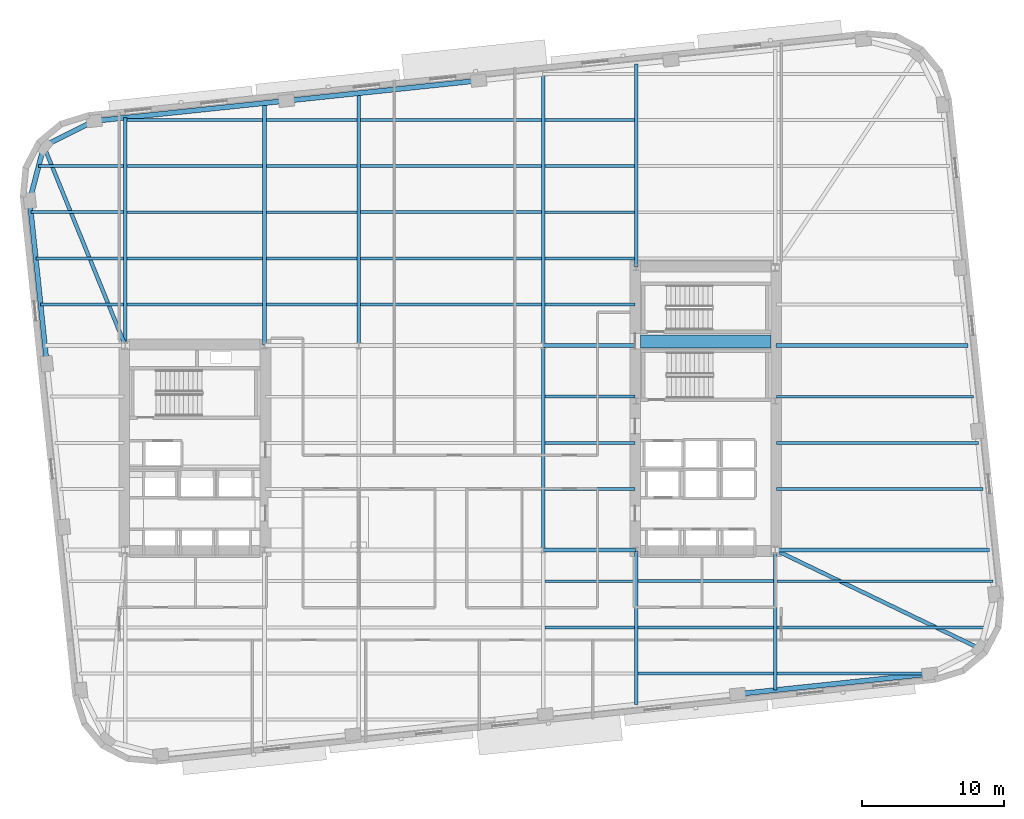
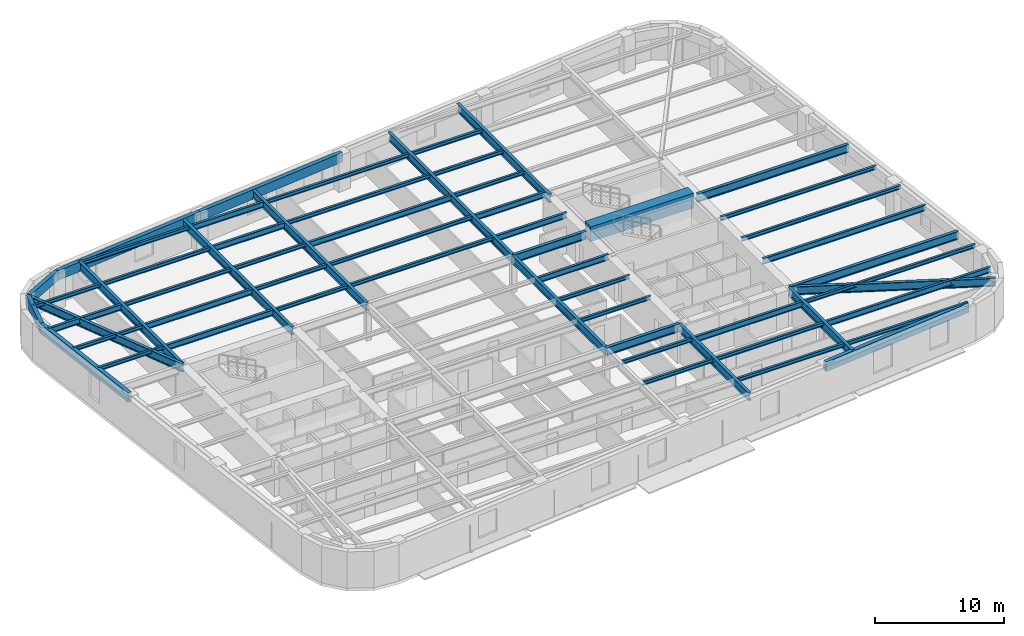
# One storey, part 2 of 11: 59 beams.
"""IFC4 building model written with IfcOpenShell, lengths in metres."""

from ifc_helpers import new_model, si_unit, direction, frame, origin, origin_2d, place, context, subcontext, project, spatial, rectangle, hollow_rectangle, i_section, extrude, material, material_profile, profile_set, type_object, element, save


model = new_model("IFC4")

# Units and contexts
model_context = context("Model", 3, precision=1e-05, world=origin(), true_north=direction((0.0, 1.0)))
body_context = subcontext(model_context, "Body", "Model", "MODEL_VIEW")
ifc_project = project(units=[si_unit("LENGTHUNIT", "METRE"), si_unit("AREAUNIT", "SQUARE_METRE"), si_unit("VOLUMEUNIT", "CUBIC_METRE"), si_unit("PLANEANGLEUNIT", "RADIAN"), si_unit("MASSUNIT", "GRAM", prefix="KILO")], contexts=[model_context])

# Site, building, storey
site_placement = place(None, origin())
site = spatial("IfcSite", under=ifc_project, at=site_placement, CompositionType="ELEMENT")
building_placement = place(site_placement, origin())
building = spatial("IfcBuilding", under=site, at=building_placement, Name="Kolvaren Arena Tower", CompositionType="ELEMENT")
storey_placement = place(building_placement, frame((0.0, 0.0, 122.199951171875)))
storey = spatial("IfcBuildingStorey", under=building, at=storey_placement, Name="L28", CompositionType="ELEMENT", Elevation=122.199951171875)

# Beams
ifc_material_1 = material(Name="Steel CSA G40.21 350W", Category="steel")
ifc_material_profile_1 = material_profile(ifc_material_1, i_section(OverallWidth=0.2119140625, OverallDepth=0.54296875, WebThickness=0.01318359375, FlangeThickness=0.0244140625, FilletRadius=0.013916015625, at=origin_2d()), Name="W530x150")
ifc_profile_set_1 = profile_set([ifc_material_profile_1], Name="Steel CSA G40.21 350W")
beam_type_1 = type_object("IfcBeamType", Name="BEAM-F1", PredefinedType="BEAM", material=ifc_profile_set_1)
beam_1_placement = place(storey_placement, frame((60.485107421875, 14.0, 3.16845703125), z_axis=(1.0, 0.0, 0.0), x_axis=(0.0, 1.0, 0.0)))
element("IfcBeam", 1, at=beam_1_placement, inside=storey, type_object=beam_type_1, Name="Composite Floor Beam (L28)", PredefinedType="BEAM", context=body_context, shape_type="SweptSolid", body=[
    extrude(i_section(OverallWidth=0.2119140625, OverallDepth=0.54296875, WebThickness=0.01318359375, FlangeThickness=0.0244140625, FilletRadius=0.013916015625, at=origin_2d()), origin(), (0.0, 0.0, 1.0), 14.69677734375),
])
beam_2_placement = place(storey_placement, frame((50.68505859375, 17.25, 3.16845703125), z_axis=(1.0, 0.0, 0.0), x_axis=(0.0, 1.0, 0.0)))
element("IfcBeam", 2, at=beam_2_placement, inside=storey, type_object=beam_type_1, Name="Composite Floor Beam (L28)", PredefinedType="BEAM", context=body_context, shape_type="SweptSolid", body=[
    extrude(i_section(OverallWidth=0.2119140625, OverallDepth=0.54296875, WebThickness=0.01318359375, FlangeThickness=0.0244140625, FilletRadius=0.013916015625, at=origin_2d()), origin(), (0.0, 0.0, 1.0), 9.530029296875),
])
beam_3_placement = place(storey_placement, frame((60.445068359375, 23.75, 3.16845703125), z_axis=(1.0, 0.0, 0.0), x_axis=(0.0, 1.0, 0.0)))
element("IfcBeam", 3, at=beam_3_placement, inside=storey, type_object=beam_type_1, Name="Composite Floor Beam (L28)", PredefinedType="BEAM", context=body_context, shape_type="SweptSolid", body=[
    extrude(i_section(OverallWidth=0.2119140625, OverallDepth=0.54296875, WebThickness=0.01318359375, FlangeThickness=0.0244140625, FilletRadius=0.013916015625, at=origin_2d()), origin(), (0.0, 0.0, 1.0), 14.56103515625),
])
beam_4_placement = place(storey_placement, frame((44.135009765625, 30.25, 3.16845703125), z_axis=(1.0, 0.0, 0.0), x_axis=(0.0, 1.0, 0.0)))
element("IfcBeam", 4, at=beam_4_placement, inside=storey, type_object=beam_type_1, Name="Composite Floor Beam (L28)", PredefinedType="BEAM", context=body_context, shape_type="SweptSolid", body=[
    extrude(i_section(OverallWidth=0.2119140625, OverallDepth=0.54296875, WebThickness=0.01318359375, FlangeThickness=0.0244140625, FilletRadius=0.013916015625, at=origin_2d()), origin(), (0.0, 0.0, 1.0), 6.320068359375),
])
beam_5_placement = place(storey_placement, frame((14.68505859375, 36.75, 3.16845703125), z_axis=(1.0, 0.0, 0.0), x_axis=(0.0, 1.0, 0.0)))
element("IfcBeam", 5, at=beam_5_placement, inside=storey, type_object=beam_type_1, Name="Composite Floor Beam (L28)", PredefinedType="BEAM", context=body_context, shape_type="SweptSolid", body=[
    extrude(i_section(OverallWidth=0.2119140625, OverallDepth=0.54296875, WebThickness=0.01318359375, FlangeThickness=0.0244140625, FilletRadius=0.013916015625, at=origin_2d()), origin(), (0.0, 0.0, 1.0), 9.530029296875),
])
beam_6_placement = place(storey_placement, frame((44.135009765625, 36.75, 3.16845703125), z_axis=(1.0, 0.0, 0.0), x_axis=(0.0, 1.0, 0.0)))
element("IfcBeam", 6, at=beam_6_placement, inside=storey, type_object=beam_type_1, Name="Composite Floor Beam (L28)", PredefinedType="BEAM", context=body_context, shape_type="SweptSolid", body=[
    extrude(i_section(OverallWidth=0.2119140625, OverallDepth=0.54296875, WebThickness=0.01318359375, FlangeThickness=0.0244140625, FilletRadius=0.013916015625, at=origin_2d()), origin(), (0.0, 0.0, 1.0), 6.320068359375),
])
beam_7_placement = place(storey_placement, frame((14.68505859375, 40.0, 3.16845703125), z_axis=(1.0, 0.0, 0.0), x_axis=(0.0, 1.0, 0.0)))
element("IfcBeam", 7, at=beam_7_placement, inside=storey, type_object=beam_type_1, Name="Composite Floor Beam (L28)", PredefinedType="BEAM", context=body_context, shape_type="SweptSolid", body=[
    extrude(i_section(OverallWidth=0.2119140625, OverallDepth=0.54296875, WebThickness=0.01318359375, FlangeThickness=0.0244140625, FilletRadius=0.013916015625, at=origin_2d()), origin(), (0.0, 0.0, 1.0), 9.530029296875),
])
beam_8_placement = place(storey_placement, frame((44.135009765625, 40.0, 3.16845703125), z_axis=(1.0, 0.0, 0.0), x_axis=(0.0, 1.0, 0.0)))
element("IfcBeam", 8, at=beam_8_placement, inside=storey, type_object=beam_type_1, Name="Composite Floor Beam (L28)", PredefinedType="BEAM", context=body_context, shape_type="SweptSolid", body=[
    extrude(i_section(OverallWidth=0.2119140625, OverallDepth=0.54296875, WebThickness=0.01318359375, FlangeThickness=0.0244140625, FilletRadius=0.013916015625, at=origin_2d()), origin(), (0.0, 0.0, 1.0), 6.280029296875),
])
beam_9_placement = place(storey_placement, frame((7.900146484375, 43.25, 3.16845703125), z_axis=(1.0, 0.0, 0.0), x_axis=(0.0, 1.0, 0.0)))
element("IfcBeam", 9, at=beam_9_placement, inside=storey, type_object=beam_type_1, Name="Composite Floor Beam (L28)", PredefinedType="BEAM", context=body_context, shape_type="SweptSolid", body=[
    extrude(i_section(OverallWidth=0.2119140625, OverallDepth=0.54296875, WebThickness=0.01318359375, FlangeThickness=0.0244140625, FilletRadius=0.013916015625, at=origin_2d()), origin(), (0.0, 0.0, 1.0), 6.514892578125),
])
beam_10_placement = place(storey_placement, frame((31.135009765625, 43.25, 3.16845703125), z_axis=(1.0, 0.0, 0.0), x_axis=(0.0, 1.0, 0.0)))
element("IfcBeam", 10, at=beam_10_placement, inside=storey, type_object=beam_type_1, Name="Composite Floor Beam (L28)", PredefinedType="BEAM", context=body_context, shape_type="SweptSolid", body=[
    extrude(i_section(OverallWidth=0.2119140625, OverallDepth=0.54296875, WebThickness=0.01318359375, FlangeThickness=0.0244140625, FilletRadius=0.013916015625, at=origin_2d()), origin(), (0.0, 0.0, 1.0), 12.72998046875),
])
for number, where, z_axis, x_axis, name in (
    (11, (24.485107421875, 46.5, 3.16845703125), (1.0, 0.0, 0.0), (0.0, 1.0, 0.0), "Composite Floor Beam (L28)"),
    (12, (24.485107421875, 49.75, 3.16845703125), (1.0, 0.0, 0.0), (0.0, 1.0, 0.0), "Composite Floor Beam (L28)"),
):
    element("IfcBeam", number, at=place(storey_placement, frame(where, z_axis=z_axis, x_axis=x_axis)), inside=storey, type_object=beam_type_1, Name=name, PredefinedType="BEAM", context=body_context, shape_type="SweptSolid", body=[
        extrude(i_section(OverallWidth=0.2119140625, OverallDepth=0.54296875, WebThickness=0.01318359375, FlangeThickness=0.0244140625, FilletRadius=0.013916015625, at=origin_2d()), origin(), (0.0, 0.0, 1.0), 6.3798828125),
    ])
ifc_material_2 = material(Name="Concrete 75 MPa", Category="concrete")
ifc_material_profile_2 = material_profile(ifc_material_2, rectangle(XDim=0.89990234375, YDim=1.39990234375, at=origin_2d()), Name="RC-900x1400")
ifc_profile_set_2 = profile_set([ifc_material_profile_2], Name="Concrete 75 MPa")
beam_type_2 = type_object("IfcBeamType", Name="CB-CORE-1", PredefinedType="BEAM", material=ifc_profile_set_2)
beam_11_placement = place(storey_placement, frame((50.85009765625, 34.14990234375, 3.010009765625), z_axis=(1.0, 0.0, 0.0), x_axis=(0.0, 1.0, 0.0)))
element("IfcBeam", 13, at=beam_11_placement, inside=storey, type_object=beam_type_2, Name="East Core Coupling Beam (L28)", PredefinedType="BEAM", context=body_context, shape_type="SweptSolid", body=[
    extrude(rectangle(XDim=0.89990234375, YDim=1.39990234375, at=origin_2d()), origin(), (0.0, 0.0, 1.0), 9.199951171875),
])
ifc_material_profile_3 = material_profile(ifc_material_1, i_section(OverallWidth=0.27001953125, OverallDepth=0.77294921875, WebThickness=0.019287109375, FlangeThickness=0.033447265625, FilletRadius=0.01806640625, at=origin_2d()), Name="W760x257")
ifc_profile_set_3 = profile_set([ifc_material_profile_3], Name="Steel CSA G40.21 350W")
beam_type_3 = type_object("IfcBeamType", Name="GIRD-T1", PredefinedType="BEAM", material=ifc_profile_set_3)
beam_12_placement = place(storey_placement, frame((74.790283203125, 12.49267578125, 3.053466796875), z_axis=(-0.900889626424, 0.43404824732, 0.0), x_axis=(-0.43404824732, -0.900889626424, 0.0)))
element("IfcBeam", 14, at=beam_12_placement, inside=storey, type_object=beam_type_3, Name="Corner Diagonal Tie Girder (L28)", PredefinedType="BEAM", context=body_context, shape_type="SweptSolid", body=[
    extrude(i_section(OverallWidth=0.27001953125, OverallDepth=0.77294921875, WebThickness=0.019287109375, FlangeThickness=0.033447265625, FilletRadius=0.01806640625, at=origin_2d()), origin(), (0.0, 0.0, 1.0), 16.02880859375),
])
beam_13_placement = place(storey_placement, frame((8.8095703125, 47.9072265625, 3.053466796875), z_axis=(0.378059288681, -0.925781385772, 0.0), x_axis=(0.925781385772, 0.378059288681, 0.0)))
element("IfcBeam", 15, at=beam_13_placement, inside=storey, type_object=beam_type_3, Name="Corner Diagonal Tie Girder (L28)", PredefinedType="BEAM", context=body_context, shape_type="SweptSolid", body=[
    extrude(i_section(OverallWidth=0.27001953125, OverallDepth=0.77294921875, WebThickness=0.019287109375, FlangeThickness=0.033447265625, FilletRadius=0.01806640625, at=origin_2d()), origin(), (0.0, 0.0, 1.0), 15.18408203125),
])
beam_14_placement = place(storey_placement, frame((44.0, 19.449951171875, 3.053466796875), z_axis=(1.0, 0.0, 0.0), x_axis=(0.0, 1.0, 0.0)))
element("IfcBeam", 16, at=beam_14_placement, inside=storey, type_object=beam_type_3, Name="Primary Floor Girder (L28)", PredefinedType="BEAM", context=body_context, shape_type="SweptSolid", body=[
    extrude(i_section(OverallWidth=0.27001953125, OverallDepth=0.77294921875, WebThickness=0.019287109375, FlangeThickness=0.033447265625, FilletRadius=0.01806640625, at=origin_2d()), origin(), (0.0, 0.0, 1.0), 6.4951171875),
])
beam_15_placement = place(storey_placement, frame((60.405029296875, 19.449951171875, 3.053466796875), z_axis=(1.0, 0.0, 0.0), x_axis=(0.0, 1.0, 0.0)))
element("IfcBeam", 17, at=beam_15_placement, inside=storey, type_object=beam_type_3, Name="Primary Floor Girder (L28)", PredefinedType="BEAM", context=body_context, shape_type="SweptSolid", body=[
    extrude(i_section(OverallWidth=0.27001953125, OverallDepth=0.77294921875, WebThickness=0.019287109375, FlangeThickness=0.033447265625, FilletRadius=0.01806640625, at=origin_2d()), origin(), (0.0, 0.0, 1.0), 15.052978515625),
])
beam_16_placement = place(storey_placement, frame((44.0, 33.85009765625, 3.053466796875), z_axis=(1.0, 0.0, 0.0), x_axis=(0.0, 1.0, 0.0)))
element("IfcBeam", 18, at=beam_16_placement, inside=storey, type_object=beam_type_3, Name="Primary Floor Girder (L28)", PredefinedType="BEAM", context=body_context, shape_type="SweptSolid", body=[
    extrude(i_section(OverallWidth=0.27001953125, OverallDepth=0.77294921875, WebThickness=0.019287109375, FlangeThickness=0.033447265625, FilletRadius=0.01806640625, at=origin_2d()), origin(), (0.0, 0.0, 1.0), 6.4951171875),
])
beam_17_placement = place(storey_placement, frame((60.405029296875, 33.85009765625, 3.053466796875), z_axis=(1.0, 0.0, 0.0), x_axis=(0.0, 1.0, 0.0)))
element("IfcBeam", 19, at=beam_17_placement, inside=storey, type_object=beam_type_3, Name="Primary Floor Girder (L28)", PredefinedType="BEAM", context=body_context, shape_type="SweptSolid", body=[
    extrude(i_section(OverallWidth=0.27001953125, OverallDepth=0.77294921875, WebThickness=0.019287109375, FlangeThickness=0.033447265625, FilletRadius=0.01806640625, at=origin_2d()), origin(), (0.0, 0.0, 1.0), 13.53955078125),
])
beam_18_placement = place(storey_placement, frame((14.550048828125, 33.905029296875, 3.053466796875), z_axis=(0.0, 1.0, 0.0), x_axis=(-1.0, 0.0, 0.0)))
element("IfcBeam", 20, at=beam_18_placement, inside=storey, type_object=beam_type_3, Name="Primary Floor Girder (L28)", PredefinedType="BEAM", context=body_context, shape_type="SweptSolid", body=[
    extrude(i_section(OverallWidth=0.27001953125, OverallDepth=0.77294921875, WebThickness=0.019287109375, FlangeThickness=0.033447265625, FilletRadius=0.01806640625, at=origin_2d()), origin(), (0.0, 0.0, 1.0), 16.004638671875),
])
beam_19_placement = place(storey_placement, frame((24.35009765625, 33.905029296875, 3.053466796875), z_axis=(0.0, 1.0, 0.0), x_axis=(-1.0, 0.0, 0.0)))
element("IfcBeam", 21, at=beam_19_placement, inside=storey, type_object=beam_type_3, Name="Primary Floor Girder (L28)", PredefinedType="BEAM", context=body_context, shape_type="SweptSolid", body=[
    extrude(i_section(OverallWidth=0.27001953125, OverallDepth=0.77294921875, WebThickness=0.019287109375, FlangeThickness=0.033447265625, FilletRadius=0.01806640625, at=origin_2d()), origin(), (0.0, 0.0, 1.0), 17.03466796875),
])
beam_20_placement = place(storey_placement, frame((31.0, 33.85009765625, 3.053466796875), z_axis=(0.0, 1.0, 0.0), x_axis=(-1.0, 0.0, 0.0)))
element("IfcBeam", 22, at=beam_20_placement, inside=storey, type_object=beam_type_3, Name="Primary Floor Girder (L28)", PredefinedType="BEAM", context=body_context, shape_type="SweptSolid", body=[
    extrude(i_section(OverallWidth=0.27001953125, OverallDepth=0.77294921875, WebThickness=0.019287109375, FlangeThickness=0.033447265625, FilletRadius=0.01806640625, at=origin_2d()), origin(), (0.0, 0.0, 1.0), 17.788330078125),
])
beam_21_placement = place(storey_placement, frame((44.0, 19.449951171875, 3.053466796875), z_axis=(0.0, 1.0, 0.0), x_axis=(-1.0, 0.0, 0.0)))
element("IfcBeam", 23, at=beam_21_placement, inside=storey, type_object=beam_type_3, Name="Primary Floor Girder (L28)", PredefinedType="BEAM", context=body_context, shape_type="SweptSolid", body=[
    extrude(i_section(OverallWidth=0.27001953125, OverallDepth=0.77294921875, WebThickness=0.019287109375, FlangeThickness=0.033447265625, FilletRadius=0.01806640625, at=origin_2d()), origin(), (0.0, 0.0, 1.0), 14.400146484375),
])
beam_22_placement = place(storey_placement, frame((44.0, 33.85009765625, 3.053466796875), z_axis=(0.0, 1.0, 0.0), x_axis=(-1.0, 0.0, 0.0)))
element("IfcBeam", 24, at=beam_22_placement, inside=storey, type_object=beam_type_3, Name="Primary Floor Girder (L28)", PredefinedType="BEAM", context=body_context, shape_type="SweptSolid", body=[
    extrude(i_section(OverallWidth=0.27001953125, OverallDepth=0.77294921875, WebThickness=0.019287109375, FlangeThickness=0.033447265625, FilletRadius=0.01806640625, at=origin_2d()), origin(), (0.0, 0.0, 1.0), 19.15478515625),
])
beam_23_placement = place(storey_placement, frame((50.550048828125, 8.5458984375, 3.053466796875), z_axis=(0.0, 1.0, 0.0), x_axis=(-1.0, 0.0, 0.0)))
element("IfcBeam", 25, at=beam_23_placement, inside=storey, type_object=beam_type_3, Name="Primary Floor Girder (L28)", PredefinedType="BEAM", context=body_context, shape_type="SweptSolid", body=[
    extrude(i_section(OverallWidth=0.27001953125, OverallDepth=0.77294921875, WebThickness=0.019287109375, FlangeThickness=0.033447265625, FilletRadius=0.01806640625, at=origin_2d()), origin(), (0.0, 0.0, 1.0), 10.84912109375),
])
beam_24_placement = place(storey_placement, frame((50.550048828125, 39.405029296875, 3.053466796875), z_axis=(0.0, 1.0, 0.0), x_axis=(-1.0, 0.0, 0.0)))
element("IfcBeam", 26, at=beam_24_placement, inside=storey, type_object=beam_type_3, Name="Primary Floor Girder (L28)", PredefinedType="BEAM", context=body_context, shape_type="SweptSolid", body=[
    extrude(i_section(OverallWidth=0.27001953125, OverallDepth=0.77294921875, WebThickness=0.019287109375, FlangeThickness=0.033447265625, FilletRadius=0.01806640625, at=origin_2d()), origin(), (0.0, 0.0, 1.0), 14.288330078125),
])
beam_25_placement = place(storey_placement, frame((60.35009765625, 9.575927734375, 3.053466796875), z_axis=(0.0, 1.0, 0.0), x_axis=(-1.0, 0.0, 0.0)))
element("IfcBeam", 27, at=beam_25_placement, inside=storey, type_object=beam_type_3, Name="Primary Floor Girder (L28)", PredefinedType="BEAM", context=body_context, shape_type="SweptSolid", body=[
    extrude(i_section(OverallWidth=0.27001953125, OverallDepth=0.77294921875, WebThickness=0.019287109375, FlangeThickness=0.033447265625, FilletRadius=0.01806640625, at=origin_2d()), origin(), (0.0, 0.0, 1.0), 9.819091796875),
])
ifc_material_profile_4 = material_profile(ifc_material_1, i_section(OverallWidth=0.202880859375, OverallDepth=0.346923828125, WebThickness=0.0078125, FlangeThickness=0.013427734375, FilletRadius=0.010986328125, at=origin_2d()), Name="W360x64")
ifc_profile_set_4 = profile_set([ifc_material_profile_4], Name="Steel CSA G40.21 350W")
beam_type_4 = type_object("IfcBeamType", Name="JOIST-01", PredefinedType="JOIST", material=ifc_profile_set_4)
beam_26_placement = place(storey_placement, frame((50.68505859375, 10.75, 3.2666015625), z_axis=(1.0, 0.0, 0.0), x_axis=(0.0, 1.0, 0.0)))
element("IfcBeam", 28, at=beam_26_placement, inside=storey, type_object=beam_type_4, Name="Composite Floor Joist (L28)", PredefinedType="JOIST", context=body_context, shape_type="SweptSolid", body=[
    extrude(i_section(OverallWidth=0.202880859375, OverallDepth=0.346923828125, WebThickness=0.0078125, FlangeThickness=0.013427734375, FilletRadius=0.010986328125, at=origin_2d()), origin(), (0.0, 0.0, 1.0), 9.530029296875),
])
beam_27_placement = place(storey_placement, frame((60.485107421875, 10.75, 3.2666015625), z_axis=(1.0, 0.0, 0.0), x_axis=(0.0, 1.0, 0.0)))
element("IfcBeam", 29, at=beam_27_placement, inside=storey, type_object=beam_type_4, Name="Composite Floor Joist (L28)", PredefinedType="JOIST", context=body_context, shape_type="SweptSolid", body=[
    extrude(i_section(OverallWidth=0.202880859375, OverallDepth=0.346923828125, WebThickness=0.0078125, FlangeThickness=0.013427734375, FilletRadius=0.010986328125, at=origin_2d()), origin(), (0.0, 0.0, 1.0), 10.819580078125),
])
beam_28_placement = place(storey_placement, frame((44.135009765625, 14.0, 3.2666015625), z_axis=(1.0, 0.0, 0.0), x_axis=(0.0, 1.0, 0.0)))
element("IfcBeam", 30, at=beam_28_placement, inside=storey, type_object=beam_type_4, Name="Composite Floor Joist (L28)", PredefinedType="JOIST", context=body_context, shape_type="SweptSolid", body=[
    extrude(i_section(OverallWidth=0.202880859375, OverallDepth=0.346923828125, WebThickness=0.0078125, FlangeThickness=0.013427734375, FilletRadius=0.010986328125, at=origin_2d()), origin(), (0.0, 0.0, 1.0), 6.280029296875),
])
beam_29_placement = place(storey_placement, frame((50.68505859375, 14.0, 3.2666015625), z_axis=(1.0, 0.0, 0.0), x_axis=(0.0, 1.0, 0.0)))
element("IfcBeam", 31, at=beam_29_placement, inside=storey, type_object=beam_type_4, Name="Composite Floor Joist (L28)", PredefinedType="JOIST", context=body_context, shape_type="SweptSolid", body=[
    extrude(i_section(OverallWidth=0.202880859375, OverallDepth=0.346923828125, WebThickness=0.0078125, FlangeThickness=0.013427734375, FilletRadius=0.010986328125, at=origin_2d()), origin(), (0.0, 0.0, 1.0), 9.530029296875),
])
beam_30_placement = place(storey_placement, frame((44.135009765625, 17.25, 3.2666015625), z_axis=(1.0, 0.0, 0.0), x_axis=(0.0, 1.0, 0.0)))
element("IfcBeam", 32, at=beam_30_placement, inside=storey, type_object=beam_type_4, Name="Composite Floor Joist (L28)", PredefinedType="JOIST", context=body_context, shape_type="SweptSolid", body=[
    extrude(i_section(OverallWidth=0.202880859375, OverallDepth=0.346923828125, WebThickness=0.0078125, FlangeThickness=0.013427734375, FilletRadius=0.010986328125, at=origin_2d()), origin(), (0.0, 0.0, 1.0), 6.280029296875),
])
beam_31_placement = place(storey_placement, frame((60.485107421875, 17.25, 3.2666015625), z_axis=(1.0, 0.0, 0.0), x_axis=(0.0, 1.0, 0.0)))
element("IfcBeam", 33, at=beam_31_placement, inside=storey, type_object=beam_type_4, Name="Composite Floor Joist (L28)", PredefinedType="JOIST", context=body_context, shape_type="SweptSolid", body=[
    extrude(i_section(OverallWidth=0.202880859375, OverallDepth=0.346923828125, WebThickness=0.0078125, FlangeThickness=0.013427734375, FilletRadius=0.010986328125, at=origin_2d()), origin(), (0.0, 0.0, 1.0), 15.2041015625),
])
for number, where, z_axis, x_axis, name in (
    (34, (44.135009765625, 23.75, 3.2666015625), (1.0, 0.0, 0.0), (0.0, 1.0, 0.0), "Composite Floor Joist (L28)"),
    (35, (44.135009765625, 27.0, 3.2666015625), (1.0, 0.0, 0.0), (0.0, 1.0, 0.0), "Composite Floor Joist (L28)"),
):
    element("IfcBeam", number, at=place(storey_placement, frame(where, z_axis=z_axis, x_axis=x_axis)), inside=storey, type_object=beam_type_4, Name=name, PredefinedType="JOIST", context=body_context, shape_type="SweptSolid", body=[
        extrude(i_section(OverallWidth=0.202880859375, OverallDepth=0.346923828125, WebThickness=0.0078125, FlangeThickness=0.013427734375, FilletRadius=0.010986328125, at=origin_2d()), origin(), (0.0, 0.0, 1.0), 6.320068359375),
    ])
beam_32_placement = place(storey_placement, frame((60.445068359375, 27.0, 3.2666015625), z_axis=(1.0, 0.0, 0.0), x_axis=(0.0, 1.0, 0.0)))
element("IfcBeam", 36, at=beam_32_placement, inside=storey, type_object=beam_type_4, Name="Composite Floor Joist (L28)", PredefinedType="JOIST", context=body_context, shape_type="SweptSolid", body=[
    extrude(i_section(OverallWidth=0.202880859375, OverallDepth=0.346923828125, WebThickness=0.0078125, FlangeThickness=0.013427734375, FilletRadius=0.010986328125, at=origin_2d()), origin(), (0.0, 0.0, 1.0), 14.219482421875),
])
beam_33_placement = place(storey_placement, frame((60.445068359375, 30.25, 3.2666015625), z_axis=(1.0, 0.0, 0.0), x_axis=(0.0, 1.0, 0.0)))
element("IfcBeam", 37, at=beam_33_placement, inside=storey, type_object=beam_type_4, Name="Composite Floor Joist (L28)", PredefinedType="JOIST", context=body_context, shape_type="SweptSolid", body=[
    extrude(i_section(OverallWidth=0.202880859375, OverallDepth=0.346923828125, WebThickness=0.0078125, FlangeThickness=0.013427734375, FilletRadius=0.010986328125, at=origin_2d()), origin(), (0.0, 0.0, 1.0), 13.8779296875),
])
beam_34_placement = place(storey_placement, frame((8.58349609375, 36.75, 3.2666015625), z_axis=(1.0, 0.0, 0.0), x_axis=(0.0, 1.0, 0.0)))
element("IfcBeam", 38, at=beam_34_placement, inside=storey, type_object=beam_type_4, Name="Composite Floor Joist (L28)", PredefinedType="JOIST", context=body_context, shape_type="SweptSolid", body=[
    extrude(i_section(OverallWidth=0.202880859375, OverallDepth=0.346923828125, WebThickness=0.0078125, FlangeThickness=0.013427734375, FilletRadius=0.010986328125, at=origin_2d()), origin(), (0.0, 0.0, 1.0), 5.83154296875),
])
beam_35_placement = place(storey_placement, frame((24.485107421875, 36.75, 3.2666015625), z_axis=(1.0, 0.0, 0.0), x_axis=(0.0, 1.0, 0.0)))
element("IfcBeam", 39, at=beam_35_placement, inside=storey, type_object=beam_type_4, Name="Composite Floor Joist (L28)", PredefinedType="JOIST", context=body_context, shape_type="SweptSolid", body=[
    extrude(i_section(OverallWidth=0.202880859375, OverallDepth=0.346923828125, WebThickness=0.0078125, FlangeThickness=0.013427734375, FilletRadius=0.010986328125, at=origin_2d()), origin(), (0.0, 0.0, 1.0), 6.3798828125),
])
beam_36_placement = place(storey_placement, frame((31.135009765625, 36.75, 3.2666015625), z_axis=(1.0, 0.0, 0.0), x_axis=(0.0, 1.0, 0.0)))
element("IfcBeam", 40, at=beam_36_placement, inside=storey, type_object=beam_type_4, Name="Composite Floor Joist (L28)", PredefinedType="JOIST", context=body_context, shape_type="SweptSolid", body=[
    extrude(i_section(OverallWidth=0.202880859375, OverallDepth=0.346923828125, WebThickness=0.0078125, FlangeThickness=0.013427734375, FilletRadius=0.010986328125, at=origin_2d()), origin(), (0.0, 0.0, 1.0), 12.72998046875),
])
beam_37_placement = place(storey_placement, frame((8.24169921875, 40.0, 3.2666015625), z_axis=(1.0, 0.0, 0.0), x_axis=(0.0, 1.0, 0.0)))
element("IfcBeam", 41, at=beam_37_placement, inside=storey, type_object=beam_type_4, Name="Composite Floor Joist (L28)", PredefinedType="JOIST", context=body_context, shape_type="SweptSolid", body=[
    extrude(i_section(OverallWidth=0.202880859375, OverallDepth=0.346923828125, WebThickness=0.0078125, FlangeThickness=0.013427734375, FilletRadius=0.010986328125, at=origin_2d()), origin(), (0.0, 0.0, 1.0), 6.17333984375),
])
beam_38_placement = place(storey_placement, frame((24.485107421875, 40.0, 3.2666015625), z_axis=(1.0, 0.0, 0.0), x_axis=(0.0, 1.0, 0.0)))
element("IfcBeam", 42, at=beam_38_placement, inside=storey, type_object=beam_type_4, Name="Composite Floor Joist (L28)", PredefinedType="JOIST", context=body_context, shape_type="SweptSolid", body=[
    extrude(i_section(OverallWidth=0.202880859375, OverallDepth=0.346923828125, WebThickness=0.0078125, FlangeThickness=0.013427734375, FilletRadius=0.010986328125, at=origin_2d()), origin(), (0.0, 0.0, 1.0), 6.3798828125),
])
beam_39_placement = place(storey_placement, frame((31.135009765625, 40.0, 3.2666015625), z_axis=(1.0, 0.0, 0.0), x_axis=(0.0, 1.0, 0.0)))
element("IfcBeam", 43, at=beam_39_placement, inside=storey, type_object=beam_type_4, Name="Composite Floor Joist (L28)", PredefinedType="JOIST", context=body_context, shape_type="SweptSolid", body=[
    extrude(i_section(OverallWidth=0.202880859375, OverallDepth=0.346923828125, WebThickness=0.0078125, FlangeThickness=0.013427734375, FilletRadius=0.010986328125, at=origin_2d()), origin(), (0.0, 0.0, 1.0), 12.72998046875),
])
beam_40_placement = place(storey_placement, frame((14.68505859375, 43.25, 3.2666015625), z_axis=(1.0, 0.0, 0.0), x_axis=(0.0, 1.0, 0.0)))
element("IfcBeam", 44, at=beam_40_placement, inside=storey, type_object=beam_type_4, Name="Composite Floor Joist (L28)", PredefinedType="JOIST", context=body_context, shape_type="SweptSolid", body=[
    extrude(i_section(OverallWidth=0.202880859375, OverallDepth=0.346923828125, WebThickness=0.0078125, FlangeThickness=0.013427734375, FilletRadius=0.010986328125, at=origin_2d()), origin(), (0.0, 0.0, 1.0), 9.530029296875),
])
beam_41_placement = place(storey_placement, frame((24.485107421875, 43.25, 3.2666015625), z_axis=(1.0, 0.0, 0.0), x_axis=(0.0, 1.0, 0.0)))
element("IfcBeam", 45, at=beam_41_placement, inside=storey, type_object=beam_type_4, Name="Composite Floor Joist (L28)", PredefinedType="JOIST", context=body_context, shape_type="SweptSolid", body=[
    extrude(i_section(OverallWidth=0.202880859375, OverallDepth=0.346923828125, WebThickness=0.0078125, FlangeThickness=0.013427734375, FilletRadius=0.010986328125, at=origin_2d()), origin(), (0.0, 0.0, 1.0), 6.3798828125),
])
beam_42_placement = place(storey_placement, frame((44.135009765625, 43.25, 3.2666015625), z_axis=(1.0, 0.0, 0.0), x_axis=(0.0, 1.0, 0.0)))
element("IfcBeam", 46, at=beam_42_placement, inside=storey, type_object=beam_type_4, Name="Composite Floor Joist (L28)", PredefinedType="JOIST", context=body_context, shape_type="SweptSolid", body=[
    extrude(i_section(OverallWidth=0.202880859375, OverallDepth=0.346923828125, WebThickness=0.0078125, FlangeThickness=0.013427734375, FilletRadius=0.010986328125, at=origin_2d()), origin(), (0.0, 0.0, 1.0), 6.280029296875),
])
beam_43_placement = place(storey_placement, frame((8.444091796875, 46.5, 3.2666015625), z_axis=(1.0, 0.0, 0.0), x_axis=(0.0, 1.0, 0.0)))
element("IfcBeam", 47, at=beam_43_placement, inside=storey, type_object=beam_type_4, Name="Composite Floor Joist (L28)", PredefinedType="JOIST", context=body_context, shape_type="SweptSolid", body=[
    extrude(i_section(OverallWidth=0.202880859375, OverallDepth=0.346923828125, WebThickness=0.0078125, FlangeThickness=0.013427734375, FilletRadius=0.010986328125, at=origin_2d()), origin(), (0.0, 0.0, 1.0), 5.970947265625),
])
beam_44_placement = place(storey_placement, frame((14.68505859375, 46.5, 3.2666015625), z_axis=(1.0, 0.0, 0.0), x_axis=(0.0, 1.0, 0.0)))
element("IfcBeam", 48, at=beam_44_placement, inside=storey, type_object=beam_type_4, Name="Composite Floor Joist (L28)", PredefinedType="JOIST", context=body_context, shape_type="SweptSolid", body=[
    extrude(i_section(OverallWidth=0.202880859375, OverallDepth=0.346923828125, WebThickness=0.0078125, FlangeThickness=0.013427734375, FilletRadius=0.010986328125, at=origin_2d()), origin(), (0.0, 0.0, 1.0), 9.530029296875),
])
beam_45_placement = place(storey_placement, frame((31.135009765625, 46.5, 3.2666015625), z_axis=(1.0, 0.0, 0.0), x_axis=(0.0, 1.0, 0.0)))
element("IfcBeam", 49, at=beam_45_placement, inside=storey, type_object=beam_type_4, Name="Composite Floor Joist (L28)", PredefinedType="JOIST", context=body_context, shape_type="SweptSolid", body=[
    extrude(i_section(OverallWidth=0.202880859375, OverallDepth=0.346923828125, WebThickness=0.0078125, FlangeThickness=0.013427734375, FilletRadius=0.010986328125, at=origin_2d()), origin(), (0.0, 0.0, 1.0), 12.72998046875),
])
beam_46_placement = place(storey_placement, frame((44.135009765625, 46.5, 3.2666015625), z_axis=(1.0, 0.0, 0.0), x_axis=(0.0, 1.0, 0.0)))
element("IfcBeam", 50, at=beam_46_placement, inside=storey, type_object=beam_type_4, Name="Composite Floor Joist (L28)", PredefinedType="JOIST", context=body_context, shape_type="SweptSolid", body=[
    extrude(i_section(OverallWidth=0.202880859375, OverallDepth=0.346923828125, WebThickness=0.0078125, FlangeThickness=0.013427734375, FilletRadius=0.010986328125, at=origin_2d()), origin(), (0.0, 0.0, 1.0), 6.280029296875),
])
beam_47_placement = place(storey_placement, frame((14.68505859375, 49.75, 3.2666015625), z_axis=(1.0, 0.0, 0.0), x_axis=(0.0, 1.0, 0.0)))
element("IfcBeam", 51, at=beam_47_placement, inside=storey, type_object=beam_type_4, Name="Composite Floor Joist (L28)", PredefinedType="JOIST", context=body_context, shape_type="SweptSolid", body=[
    extrude(i_section(OverallWidth=0.202880859375, OverallDepth=0.346923828125, WebThickness=0.0078125, FlangeThickness=0.013427734375, FilletRadius=0.010986328125, at=origin_2d()), origin(), (0.0, 0.0, 1.0), 9.530029296875),
])
beam_48_placement = place(storey_placement, frame((31.135009765625, 49.75, 3.2666015625), z_axis=(1.0, 0.0, 0.0), x_axis=(0.0, 1.0, 0.0)))
element("IfcBeam", 52, at=beam_48_placement, inside=storey, type_object=beam_type_4, Name="Composite Floor Joist (L28)", PredefinedType="JOIST", context=body_context, shape_type="SweptSolid", body=[
    extrude(i_section(OverallWidth=0.202880859375, OverallDepth=0.346923828125, WebThickness=0.0078125, FlangeThickness=0.013427734375, FilletRadius=0.010986328125, at=origin_2d()), origin(), (0.0, 0.0, 1.0), 12.72998046875),
])
beam_49_placement = place(storey_placement, frame((44.135009765625, 49.75, 3.2666015625), z_axis=(1.0, 0.0, 0.0), x_axis=(0.0, 1.0, 0.0)))
element("IfcBeam", 53, at=beam_49_placement, inside=storey, type_object=beam_type_4, Name="Composite Floor Joist (L28)", PredefinedType="JOIST", context=body_context, shape_type="SweptSolid", body=[
    extrude(i_section(OverallWidth=0.202880859375, OverallDepth=0.346923828125, WebThickness=0.0078125, FlangeThickness=0.013427734375, FilletRadius=0.010986328125, at=origin_2d()), origin(), (0.0, 0.0, 1.0), 6.280029296875),
])
ifc_material_3 = material(Name="Steel CSA G40.21 350WT", Category="steel")
ifc_material_profile_5 = material_profile(ifc_material_3, hollow_rectangle(XDim=0.35009765625, YDim=0.89990234375, WallThickness=0.02001953125, at=origin_2d()), Name="HSS 900x350x20")
ifc_profile_set_5 = profile_set([ifc_material_profile_5], Name="Steel CSA G40.21 350WT")
beam_type_5 = type_object("IfcBeamType", Name="SPAND-01", PredefinedType="SPANDREL", material=ifc_profile_set_5)
for number, where, z_axis, x_axis, name in (
    (54, (57.697021484375, 9.297119140625, 2.989990234375), (0.994520955135, 0.104537408603, 0.0), (-0.104537408603, 0.994520955135, 0.0), "Perimeter Spandrel Beam (L28)"),
    (55, (39.453369140625, 52.527099609375, 2.989990234375), (-0.994520955135, -0.104537408603, 0.0), (0.104537408603, -0.994520955135, 0.0), "Perimeter Spandrel Beam (L28)"),
):
    element("IfcBeam", number, at=place(storey_placement, frame(where, z_axis=z_axis, x_axis=x_axis)), inside=storey, type_object=beam_type_5, Name=name, PredefinedType="SPANDREL", context=body_context, shape_type="SweptSolid", body=[
        extrude(hollow_rectangle(XDim=0.35009765625, YDim=0.89990234375, WallThickness=0.02001953125, at=origin_2d()), origin(), (0.0, 0.0, 1.0), 13.625),
    ])
beam_50_placement = place(storey_placement, frame((25.903076171875, 51.102783203125, 2.989990234375), z_axis=(-0.994523013632, -0.104517823154, 0.0), x_axis=(0.104517823154, -0.994523013632, 0.0)))
element("IfcBeam", 56, at=beam_50_placement, inside=storey, type_object=beam_type_5, Name="Perimeter Spandrel Beam (L28)", PredefinedType="SPANDREL", context=body_context, shape_type="SweptSolid", body=[
    extrude(hollow_rectangle(XDim=0.35009765625, YDim=0.89990234375, WallThickness=0.02001953125, at=origin_2d()), origin(), (0.0, 0.0, 1.0), 13.625244140625),
])
beam_51_placement = place(storey_placement, frame((12.3525390625, 49.6787109375, 2.989990234375), z_axis=(-0.894427191, -0.4472135955, 0.0), x_axis=(0.4472135955, -0.894427191, 0.0)))
element("IfcBeam", 57, at=beam_51_placement, inside=storey, type_object=beam_type_5, Name="Perimeter Spandrel Beam (L28)", PredefinedType="SPANDREL", context=body_context, shape_type="SweptSolid", body=[
    extrude(hollow_rectangle(XDim=0.35009765625, YDim=0.89990234375, WallThickness=0.02001953125, at=origin_2d()), origin(), (0.0, 0.0, 1.0), 3.961181640625),
])
beam_52_placement = place(storey_placement, frame((8.8095703125, 47.9072265625, 2.989990234375), z_axis=(-0.25141561169, -0.96787922294, 0.0), x_axis=(0.96787922294, -0.25141561169, 0.0)))
element("IfcBeam", 58, at=beam_52_placement, inside=storey, type_object=beam_type_5, Name="Perimeter Spandrel Beam (L28)", PredefinedType="SPANDREL", context=body_context, shape_type="SweptSolid", body=[
    extrude(hollow_rectangle(XDim=0.35009765625, YDim=0.89990234375, WallThickness=0.02001953125, at=origin_2d()), origin(), (0.0, 0.0, 1.0), 3.9609375),
])
beam_53_placement = place(storey_placement, frame((7.813720703125, 44.073486328125, 2.989990234375), z_axis=(0.104524366116, -0.994522325988, 0.0), x_axis=(0.994522325988, 0.104524366116, 0.0)))
element("IfcBeam", 59, at=beam_53_placement, inside=storey, type_object=beam_type_5, Name="Perimeter Spandrel Beam (L28)", PredefinedType="SPANDREL", context=body_context, shape_type="SweptSolid", body=[
    extrude(hollow_rectangle(XDim=0.35009765625, YDim=0.89990234375, WallThickness=0.02001953125, at=origin_2d()), origin(), (0.0, 0.0, 1.0), 11.566650390625),
])

save(model, "model.ifc")
